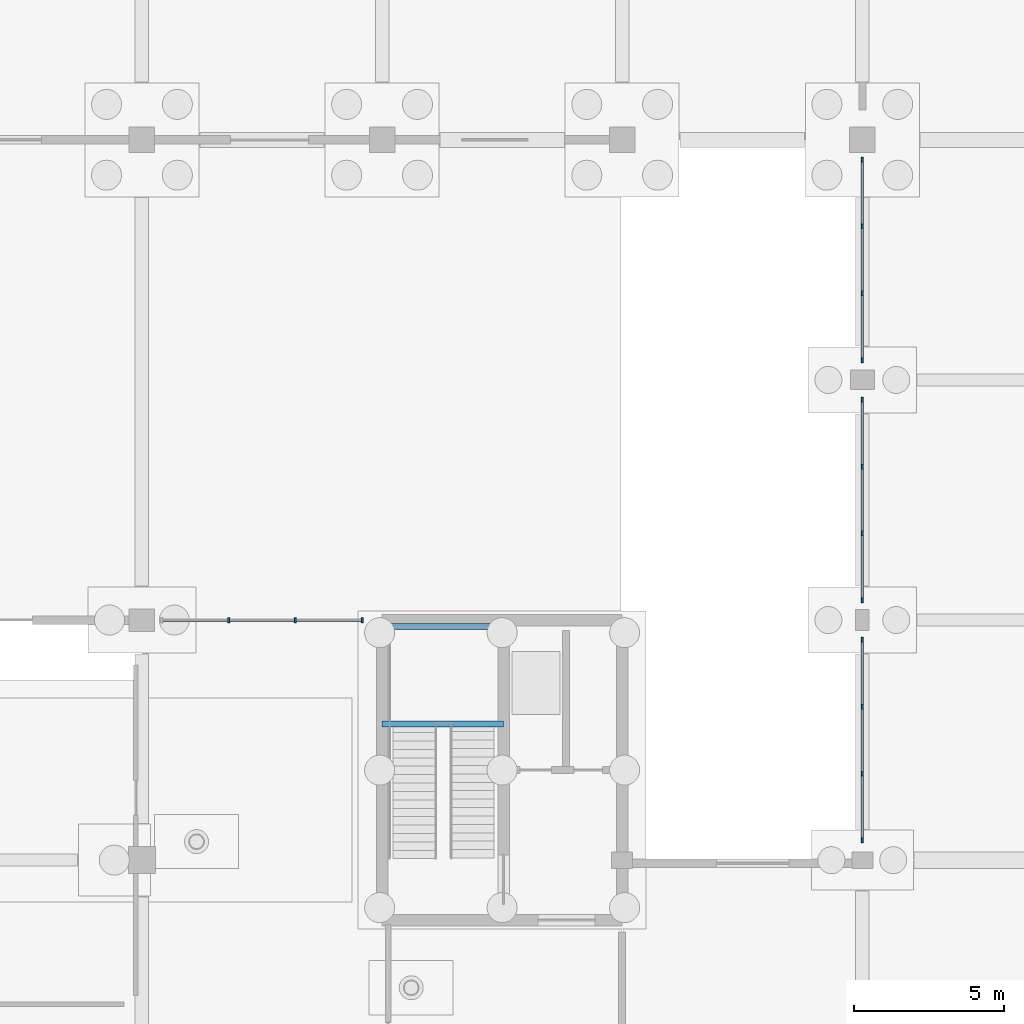
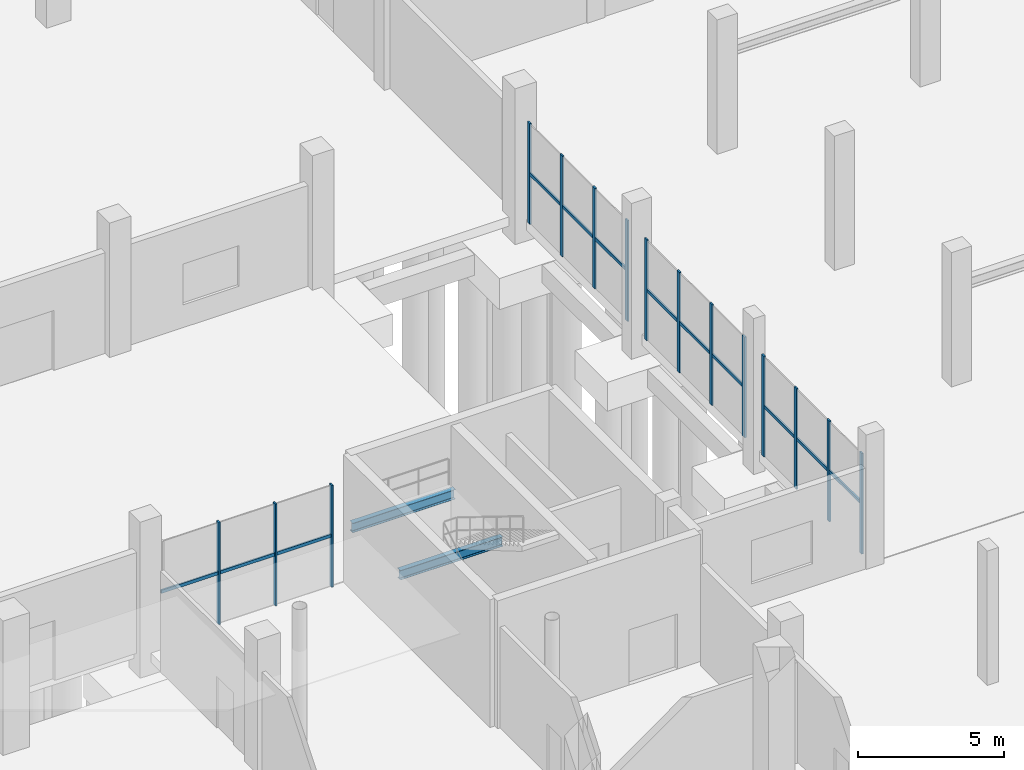
# One storey, part 53 of 98: 19 members, 2 beams, 4 elements without a shape of their own.
"""IFC4 building model written with IfcOpenShell, lengths in metres."""

from ifc_helpers import new_model, si_unit, derived_unit, direction, frame, origin, origin_2d, place, context, subcontext, project, spatial, rectangle, i_section, extrude, material, layer, layer_set, material_profile, profile_set, type_object, element, aggregate, save


model = new_model("IFC4")

# Units and contexts
model_context = context("Model", 3, precision=1e-05, world=origin(), true_north=direction((0.0, 1.0)))
body_context = subcontext(model_context, "Body", "Model", "MODEL_VIEW")
ifc_project = project(units=[si_unit("LENGTHUNIT", "METRE"), si_unit("AREAUNIT", "SQUARE_METRE"), si_unit("VOLUMEUNIT", "CUBIC_METRE"), si_unit("PLANEANGLEUNIT", "RADIAN"), si_unit("MASSUNIT", "GRAM", prefix="KILO"), si_unit("THERMODYNAMICTEMPERATUREUNIT", "KELVIN"), derived_unit("THERMALTRANSMITTANCEUNIT", [(si_unit("POWERUNIT", "WATT"), 1), (si_unit("AREAUNIT", "SQUARE_METRE"), -1), (si_unit("THERMODYNAMICTEMPERATUREUNIT", "KELVIN"), -1)])], contexts=[model_context])

# Site, building, storey
site_placement = place(None, origin())
site = spatial("IfcSite", under=ifc_project, at=site_placement, CompositionType="ELEMENT")
building_placement = place(site_placement, origin())
building = spatial("IfcBuilding", under=site, at=building_placement, Name="Haiyu Intermodal Mobility Hub", CompositionType="ELEMENT")
storey_placement = place(building_placement, origin())
storey = spatial("IfcBuildingStorey", under=building, at=storey_placement, Name="L00", CompositionType="ELEMENT", Elevation=0.0)

# Beams
ifc_material_1 = material(Name="Steel Q355C", Category="steel")
ifc_material_profile_1 = material_profile(ifc_material_1, i_section(OverallWidth=0.199951171875, OverallDepth=0.39990234375, WebThickness=0.008056640625, FlangeThickness=0.012939453125, FilletRadius=0.01611328125, at=origin_2d()), Name="HN400x200x8x13")
ifc_profile_set_1 = profile_set([ifc_material_profile_1], Name="Steel Q355C")
beam_type = type_object("IfcBeamType", Name="BM-SB08", PredefinedType="JOIST", material=ifc_profile_set_1)
for number, where, z_axis, x_axis, name in (
    (1, (146.0, 84.530029296875, 2.375), (1.0, 0.0, 0.0), (0.0, 1.0, 0.0), "Stair Half-Landing Front Beam C2-L00"),
    (2, (146.0, 87.780029296875, 2.375), (1.0, 0.0, 0.0), (0.0, 1.0, 0.0), "Stair Half-Landing Rear Beam C2-L00"),
):
    element("IfcBeam", number, at=place(storey_placement, frame(where, z_axis=z_axis, x_axis=x_axis)), inside=storey, type_object=beam_type, Name=name, PredefinedType="JOIST", context=body_context, shape_type="SweptSolid", body=[
        extrude(i_section(OverallWidth=0.199951171875, OverallDepth=0.39990234375, WebThickness=0.008056640625, FlangeThickness=0.012939453125, FilletRadius=0.01611328125, at=origin_2d()), origin(), (0.0, 0.0, 1.0), 4.050048828125),
    ])

# Curtain wall, members
ifc_material_2 = material(Name="Low-e laminated insulating glass", Category="glass")
ifc_layer_1 = layer(ifc_material_2, 0.25)
ifc_layer_set_1 = layer_set([ifc_layer_1], Name="Low-e laminated insulating glass")
curtain_wall_type_1 = type_object("IfcCurtainWallType", Name="CW-CW02", PredefinedType="NOTDEFINED", material=ifc_layer_set_1)
curtain_wall_1_placement = place(storey_placement, origin())
curtain_wall_1 = element("IfcCurtainWall", 3, at=curtain_wall_1_placement, inside=storey, type_object=curtain_wall_type_1, Name="Curtain Wall CW-V1N-L00-031", PredefinedType="NOTDEFINED")
ifc_material_3 = material(Name="Anodised aluminium 6063-T6", Category="aluminium")
ifc_material_profile_2 = material_profile(ifc_material_3, rectangle(XDim=0.06494140625, YDim=0.1650390625, at=origin_2d()), Name="ALU65x165")
ifc_profile_set_2 = profile_set([ifc_material_profile_2], Name="Anodised aluminium 6063-T6")
member_type_1 = type_object("IfcMemberType", Name="CWM-ML02", PredefinedType="MULLION", material=ifc_profile_set_2)
member_1_placement = place(storey_placement, frame((145.340087890625, 88.0, 0.0), z_axis=(0.0, 0.0, 1.0), x_axis=(1.0, 0.0, 0.0)))
member_1 = element("IfcMember", 4, at=member_1_placement, type_object=member_type_1, Name="CW-V1N-L00-031-ML01", PredefinedType="MULLION", context=body_context, shape_type="SweptSolid", body=[
    extrude(rectangle(XDim=0.06494140625, YDim=0.1650390625, at=origin_2d()), origin(), (0.0, 0.0, 1.0), 4.25),
])
member_2_placement = place(storey_placement, frame((143.113037109375, 88.0, 0.0), z_axis=(0.0, 0.0, 1.0), x_axis=(1.0, 0.0, 0.0)))
member_2 = element("IfcMember", 5, at=member_2_placement, type_object=member_type_1, Name="CW-V1N-L00-031-ML02", PredefinedType="MULLION", context=body_context, shape_type="SweptSolid", body=[
    extrude(rectangle(XDim=0.06494140625, YDim=0.1650390625, at=origin_2d()), origin(), (0.0, 0.0, 1.0), 4.25),
])
member_3_placement = place(storey_placement, frame((140.886962890625, 88.0, 0.0), z_axis=(0.0, 0.0, 1.0), x_axis=(1.0, 0.0, 0.0)))
member_3 = element("IfcMember", 6, at=member_3_placement, type_object=member_type_1, Name="CW-V1N-L00-031-ML03", PredefinedType="MULLION", context=body_context, shape_type="SweptSolid", body=[
    extrude(rectangle(XDim=0.06494140625, YDim=0.1650390625, at=origin_2d()), origin(), (0.0, 0.0, 1.0), 4.25),
])

ifc_layer_2 = layer(ifc_material_2, 0.2099609375)
ifc_layer_set_2 = layer_set([ifc_layer_2], Name="Low-e laminated insulating glass")
curtain_wall_type_2 = type_object("IfcCurtainWallType", Name="CW-CW04", PredefinedType="NOTDEFINED", material=ifc_layer_set_2)
curtain_wall_2_placement = place(storey_placement, origin())
curtain_wall_2 = element("IfcCurtainWall", 7, at=curtain_wall_2_placement, inside=storey, type_object=curtain_wall_type_2, Name="Curtain Wall CW-V6W-L00-140", PredefinedType="NOTDEFINED")
member_4_placement = place(storey_placement, frame((162.0, 87.340087890625, 0.0), z_axis=(0.0, 0.0, 1.0), x_axis=(1.0, 0.0, 0.0)))
member_4 = element("IfcMember", 8, at=member_4_placement, type_object=member_type_1, Name="CW-V6W-L00-140-ML01", PredefinedType="MULLION", context=body_context, shape_type="SweptSolid", body=[
    extrude(rectangle(XDim=0.06494140625, YDim=0.1650390625, at=origin_2d()), origin(), (0.0, 0.0, 1.0), 4.199951171875),
])
member_5_placement = place(storey_placement, frame((162.0, 85.113037109375, 0.0), z_axis=(0.0, 0.0, 1.0), x_axis=(1.0, 0.0, 0.0)))
member_5 = element("IfcMember", 9, at=member_5_placement, type_object=member_type_1, Name="CW-V6W-L00-140-ML02", PredefinedType="MULLION", context=body_context, shape_type="SweptSolid", body=[
    extrude(rectangle(XDim=0.06494140625, YDim=0.1650390625, at=origin_2d()), origin(), (0.0, 0.0, 1.0), 4.199951171875),
])
member_6_placement = place(storey_placement, frame((162.0, 82.886962890625, 0.0), z_axis=(0.0, 0.0, 1.0), x_axis=(1.0, 0.0, 0.0)))
member_6 = element("IfcMember", 10, at=member_6_placement, type_object=member_type_1, Name="CW-V6W-L00-140-ML03", PredefinedType="MULLION", context=body_context, shape_type="SweptSolid", body=[
    extrude(rectangle(XDim=0.06494140625, YDim=0.1650390625, at=origin_2d()), origin(), (0.0, 0.0, 1.0), 4.199951171875),
])
member_7_placement = place(storey_placement, frame((162.0, 80.659912109375, 0.0), z_axis=(0.0, 0.0, 1.0), x_axis=(1.0, 0.0, 0.0)))
member_7 = element("IfcMember", 11, at=member_7_placement, type_object=member_type_1, Name="CW-V6W-L00-140-ML04", PredefinedType="MULLION", context=body_context, shape_type="SweptSolid", body=[
    extrude(rectangle(XDim=0.06494140625, YDim=0.1650390625, at=origin_2d()), origin(), (0.0, 0.0, 1.0), 4.199951171875),
])

curtain_wall_3_placement = place(storey_placement, origin())
curtain_wall_3 = element("IfcCurtainWall", 12, at=curtain_wall_3_placement, inside=storey, type_object=curtain_wall_type_2, Name="Curtain Wall CW-V6W-L00-141", PredefinedType="NOTDEFINED")
member_8_placement = place(storey_placement, frame((162.0, 95.340087890625, 0.0), z_axis=(0.0, 0.0, 1.0), x_axis=(1.0, 0.0, 0.0)))
member_8 = element("IfcMember", 13, at=member_8_placement, type_object=member_type_1, Name="CW-V6W-L00-141-ML01", PredefinedType="MULLION", context=body_context, shape_type="SweptSolid", body=[
    extrude(rectangle(XDim=0.06494140625, YDim=0.1650390625, at=origin_2d()), origin(), (0.0, 0.0, 1.0), 4.199951171875),
])
member_9_placement = place(storey_placement, frame((162.0, 93.113037109375, 0.0), z_axis=(0.0, 0.0, 1.0), x_axis=(1.0, 0.0, 0.0)))
member_9 = element("IfcMember", 14, at=member_9_placement, type_object=member_type_1, Name="CW-V6W-L00-141-ML02", PredefinedType="MULLION", context=body_context, shape_type="SweptSolid", body=[
    extrude(rectangle(XDim=0.06494140625, YDim=0.1650390625, at=origin_2d()), origin(), (0.0, 0.0, 1.0), 4.199951171875),
])
member_10_placement = place(storey_placement, frame((162.0, 90.886962890625, 0.0), z_axis=(0.0, 0.0, 1.0), x_axis=(1.0, 0.0, 0.0)))
member_10 = element("IfcMember", 15, at=member_10_placement, type_object=member_type_1, Name="CW-V6W-L00-141-ML03", PredefinedType="MULLION", context=body_context, shape_type="SweptSolid", body=[
    extrude(rectangle(XDim=0.06494140625, YDim=0.1650390625, at=origin_2d()), origin(), (0.0, 0.0, 1.0), 4.199951171875),
])
member_11_placement = place(storey_placement, frame((162.0, 88.659912109375, 0.0), z_axis=(0.0, 0.0, 1.0), x_axis=(1.0, 0.0, 0.0)))
member_11 = element("IfcMember", 16, at=member_11_placement, type_object=member_type_1, Name="CW-V6W-L00-141-ML04", PredefinedType="MULLION", context=body_context, shape_type="SweptSolid", body=[
    extrude(rectangle(XDim=0.06494140625, YDim=0.1650390625, at=origin_2d()), origin(), (0.0, 0.0, 1.0), 4.199951171875),
])

curtain_wall_4_placement = place(storey_placement, origin())
curtain_wall_4 = element("IfcCurtainWall", 17, at=curtain_wall_4_placement, inside=storey, type_object=curtain_wall_type_2, Name="Curtain Wall CW-V6W-L00-142", PredefinedType="NOTDEFINED")
member_12_placement = place(storey_placement, frame((162.0, 103.340087890625, 0.0), z_axis=(0.0, 0.0, 1.0), x_axis=(1.0, 0.0, 0.0)))
member_12 = element("IfcMember", 18, at=member_12_placement, type_object=member_type_1, Name="CW-V6W-L00-142-ML01", PredefinedType="MULLION", context=body_context, shape_type="SweptSolid", body=[
    extrude(rectangle(XDim=0.06494140625, YDim=0.1650390625, at=origin_2d()), origin(), (0.0, 0.0, 1.0), 4.199951171875),
])
member_13_placement = place(storey_placement, frame((162.0, 101.113037109375, 0.0), z_axis=(0.0, 0.0, 1.0), x_axis=(1.0, 0.0, 0.0)))
member_13 = element("IfcMember", 19, at=member_13_placement, type_object=member_type_1, Name="CW-V6W-L00-142-ML02", PredefinedType="MULLION", context=body_context, shape_type="SweptSolid", body=[
    extrude(rectangle(XDim=0.06494140625, YDim=0.1650390625, at=origin_2d()), origin(), (0.0, 0.0, 1.0), 4.199951171875),
])
member_14_placement = place(storey_placement, frame((162.0, 98.886962890625, 0.0), z_axis=(0.0, 0.0, 1.0), x_axis=(1.0, 0.0, 0.0)))
member_14 = element("IfcMember", 20, at=member_14_placement, type_object=member_type_1, Name="CW-V6W-L00-142-ML03", PredefinedType="MULLION", context=body_context, shape_type="SweptSolid", body=[
    extrude(rectangle(XDim=0.06494140625, YDim=0.1650390625, at=origin_2d()), origin(), (0.0, 0.0, 1.0), 4.199951171875),
])
member_15_placement = place(storey_placement, frame((162.0, 96.659912109375, 0.0), z_axis=(0.0, 0.0, 1.0), x_axis=(1.0, 0.0, 0.0)))
member_15 = element("IfcMember", 21, at=member_15_placement, type_object=member_type_1, Name="CW-V6W-L00-142-ML04", PredefinedType="MULLION", context=body_context, shape_type="SweptSolid", body=[
    extrude(rectangle(XDim=0.06494140625, YDim=0.1650390625, at=origin_2d()), origin(), (0.0, 0.0, 1.0), 4.199951171875),
])

# Member
ifc_material_profile_3 = material_profile(ifc_material_3, rectangle(XDim=0.06494140625, YDim=0.135009765625, at=origin_2d()), Name="ALU65x135")
ifc_profile_set_3 = profile_set([ifc_material_profile_3], Name="Anodised aluminium 6063-T6")
member_type_2 = type_object("IfcMemberType", Name="CWM-TR02", PredefinedType="USERDEFINED", material=ifc_profile_set_3)
member_16_placement = place(storey_placement, frame((145.3798828125, 88.0, 2.125), z_axis=(-1.0, 0.0, 0.0), x_axis=(0.0, -1.0, 0.0)))
member_16 = element("IfcMember", 22, at=member_16_placement, type_object=member_type_2, Name="CW-V1N-L00-031-TR01", ObjectType="TRANSOM", PredefinedType="USERDEFINED", context=body_context, shape_type="SweptSolid", body=[
    extrude(rectangle(XDim=0.06494140625, YDim=0.135009765625, at=origin_2d()), origin(), (0.0, 0.0, 1.0), 6.759765625),
])

aggregate(curtain_wall_1, [member_1, member_2, member_3, member_16])

member_17_placement = place(storey_placement, frame((162.0, 87.3798828125, 2.10009765625), z_axis=(0.0, -1.0, 0.0), x_axis=(1.0, 0.0, 0.0)))
member_17 = element("IfcMember", 23, at=member_17_placement, type_object=member_type_2, Name="CW-V6W-L00-140-TR01", ObjectType="TRANSOM", PredefinedType="USERDEFINED", context=body_context, shape_type="SweptSolid", body=[
    extrude(rectangle(XDim=0.06494140625, YDim=0.135009765625, at=origin_2d()), origin(), (0.0, 0.0, 1.0), 6.759765625),
])

aggregate(curtain_wall_2, [member_4, member_5, member_6, member_7, member_17])

member_18_placement = place(storey_placement, frame((162.0, 95.3798828125, 2.10009765625), z_axis=(0.0, -1.0, 0.0), x_axis=(1.0, 0.0, 0.0)))
member_18 = element("IfcMember", 24, at=member_18_placement, type_object=member_type_2, Name="CW-V6W-L00-141-TR01", ObjectType="TRANSOM", PredefinedType="USERDEFINED", context=body_context, shape_type="SweptSolid", body=[
    extrude(rectangle(XDim=0.06494140625, YDim=0.135009765625, at=origin_2d()), origin(), (0.0, 0.0, 1.0), 6.759765625),
])

aggregate(curtain_wall_3, [member_8, member_9, member_10, member_11, member_18])

member_19_placement = place(storey_placement, frame((162.0, 103.3798828125, 2.10009765625), z_axis=(0.0, -1.0, 0.0), x_axis=(1.0, 0.0, 0.0)))
member_19 = element("IfcMember", 25, at=member_19_placement, type_object=member_type_2, Name="CW-V6W-L00-142-TR01", ObjectType="TRANSOM", PredefinedType="USERDEFINED", context=body_context, shape_type="SweptSolid", body=[
    extrude(rectangle(XDim=0.06494140625, YDim=0.135009765625, at=origin_2d()), origin(), (0.0, 0.0, 1.0), 6.759765625),
])

aggregate(curtain_wall_4, [member_12, member_13, member_14, member_15, member_19])

save(model, "model.ifc")
